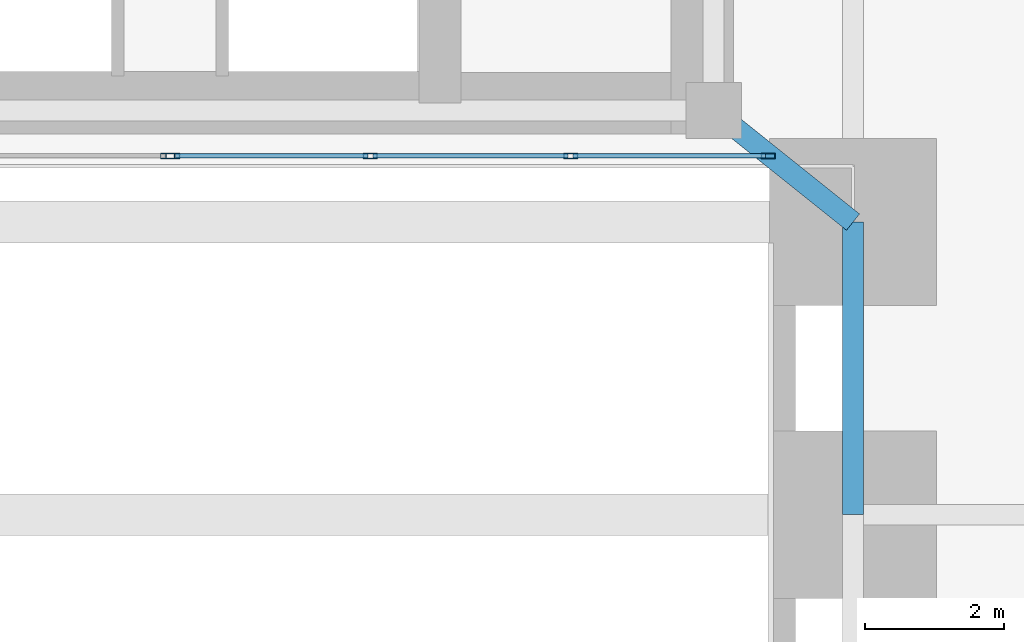
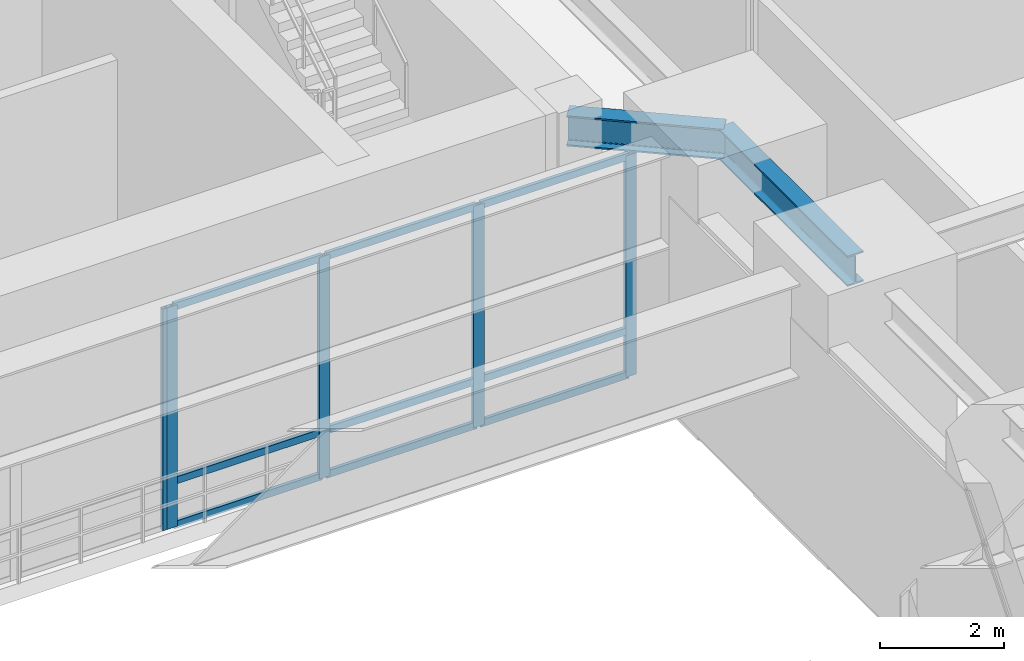
# One storey, part 6 of 18: 14 members, 2 beams, 2 elements without a shape of their own.
"""IFC4 building model written with IfcOpenShell, lengths in metres."""

import ifcopenshell
import ifcopenshell.guid

model = None  # the IFC model being written
_history = None  # IfcOwnerHistory: only IFC2X3 demands one
_inside = {}  # id of a spatial element -> (the spatial element, [elements in it])
_under = {}  # id of a project, library or spatial element -> (it, [spatial elements below it])
_declared = {}  # id of a project -> (the project, [libraries it declares])
_typed = {}  # id of a type object -> (the type object, [elements of that type])
_made_of = {}  # id of a material, layer set ... -> (it, [elements and type objects made of it])


def new_model(schema):
    """Start an empty IFC model of exactly this schema.

    Asked for "IFC4X3", IfcOpenShell would pick the latest addendum, in which some entities
    have other attributes; the version numbers below select the first issue.
    IFC2X3 requires an IfcOwnerHistory on every rooted entity: one is made here for all.
    """
    global model, _history
    if schema == "IFC4X3":
        model = ifcopenshell.file(schema_version=(4, 3, 0, 0))
    else:
        model = ifcopenshell.file(schema=schema)
    _inside.clear()
    _under.clear()
    _declared.clear()
    _typed.clear()
    _made_of.clear()
    _history = None
    if model.schema == "IFC2X3":
        org = make("IfcOrganization", Name="unknown")
        user = make(
            "IfcPersonAndOrganization",
            ThePerson=make("IfcPerson", FamilyName="unknown"),
            TheOrganization=org,
        )
        app = make(
            "IfcApplication",
            ApplicationDeveloper=org,
            Version="unknown",
            ApplicationFullName="unknown",
            ApplicationIdentifier="unknown",
        )
        _history = make(
            "IfcOwnerHistory",
            OwningUser=user,
            OwningApplication=app,
            ChangeAction="ADDED",
            CreationDate=0,
        )
    return model


def make(cls, **values):
    """One entity of the class cls with the attributes given. An attribute that is None is left unset."""
    return model.create_entity(
        cls, **{name: value for name, value in values.items() if value is not None}
    )


def rooted(cls, **values):
    """An entity with a GlobalId (a new one), such as an element, a storey or a relation."""
    return make(cls, GlobalId=ifcopenshell.guid.new(), OwnerHistory=_history, **values)


def si_unit(unit_type, name, prefix=None):
    """IfcSIUnit, for example si_unit("LENGTHUNIT", "METRE", prefix="MILLI")."""
    return make("IfcSIUnit", UnitType=unit_type, Prefix=prefix, Name=name)


def assignment(units):
    """IfcUnitAssignment: the units of a project."""
    return None if units is None else make("IfcUnitAssignment", Units=units)


def point(xyz):
    """IfcCartesianPoint."""
    return None if xyz is None else make("IfcCartesianPoint", Coordinates=xyz)


def direction(xyz):
    """IfcDirection."""
    return None if xyz is None else make("IfcDirection", DirectionRatios=xyz)


def frame(location, z_axis=None, x_axis=None):
    """IfcAxis2Placement3D, a coordinate frame: its origin and axes. An axis left out is left unset."""
    return make(
        "IfcAxis2Placement3D",
        Location=point(location),
        Axis=direction(z_axis),
        RefDirection=direction(x_axis),
    )


def frame_2d(location, x_axis=None):
    """IfcAxis2Placement2D, a coordinate frame in the plane: its origin and x axis."""
    return make(
        "IfcAxis2Placement2D", Location=point(location), RefDirection=direction(x_axis)
    )


def origin():
    """The frame at (0, 0, 0) with its axes left unset."""
    return frame((0.0, 0.0, 0.0))


def origin_2d():
    """The frame at (0, 0) in the plane with its x axis left unset."""
    return frame_2d((0.0, 0.0))


def place(relative_to, where):
    """IfcLocalPlacement: puts the frame where relative to a parent placement (None: the world)."""
    return make(
        "IfcLocalPlacement", PlacementRelTo=relative_to, RelativePlacement=where
    )


def context(
    kind, dimensions, precision=None, world=None, true_north=None, identifier=None
):
    """IfcGeometricRepresentationContext, for example the 3D "Model" context."""
    return make(
        "IfcGeometricRepresentationContext",
        ContextIdentifier=identifier,
        ContextType=kind,
        CoordinateSpaceDimension=dimensions,
        Precision=precision,
        WorldCoordinateSystem=world,
        TrueNorth=true_north,
    )


def subcontext(parent, identifier, kind, view, scale=None):
    """IfcGeometricRepresentationSubContext, for example "Body" below "Model"."""
    return make(
        "IfcGeometricRepresentationSubContext",
        ContextIdentifier=identifier,
        ContextType=kind,
        ParentContext=parent,
        TargetScale=scale,
        TargetView=view,
    )


def project(units=None, contexts=None):
    """IfcProject with its units and contexts."""
    return rooted(
        "IfcProject",
        Name="project",
        RepresentationContexts=contexts,
        UnitsInContext=assignment(units),
    )


def spatial(cls, under=None, at=None, **own):
    """A site, building, storey or space (cls), placed at a placement, below another one or the project."""
    s = rooted(cls, ObjectPlacement=at, **own)
    if under is not None:
        _under.setdefault(under.id(), (under, []))[1].append(s)
    return s


def profile(cls, at=None, kind="AREA", **sizes):
    """A parametric profile (cls). Its sizes go by their IFC names, for example OverallWidth=200.0."""
    return make(cls, ProfileType=kind, Position=at, **sizes)


def hollow_rectangle(**sizes):
    """IfcRectangleHollowProfileDef."""
    return profile("IfcRectangleHollowProfileDef", **sizes)


def i_section(**sizes):
    """IfcIShapeProfileDef."""
    return profile("IfcIShapeProfileDef", **sizes)


def extrude(swept, where, along, depth):
    """IfcExtrudedAreaSolid: the profile swept, set in the frame where, extruded along a direction by depth."""
    return make(
        "IfcExtrudedAreaSolid",
        SweptArea=swept,
        Position=where,
        ExtrudedDirection=direction(along),
        Depth=depth,
    )


def shape(context_of_items, identifier, shape_type, items):
    """IfcShapeRepresentation: the items that make up one representation, for example the "Body"."""
    return make(
        "IfcShapeRepresentation",
        ContextOfItems=context_of_items,
        RepresentationIdentifier=identifier,
        RepresentationType=shape_type,
        Items=items,
    )


def material(Name=None, Category=None):
    """IfcMaterial."""
    return make("IfcMaterial", Name=Name, Category=Category)


def layer(
    of_material, thickness, ventilated=None, Name=None, Category=None, Priority=None
):
    """IfcMaterialLayer: one layer of a wall or slab, of a material (None: an air gap)."""
    return make(
        "IfcMaterialLayer",
        Material=of_material,
        LayerThickness=thickness,
        IsVentilated=ventilated,
        Name=Name,
        Category=Category,
        Priority=Priority,
    )


def layer_set(layers, Name=None):
    """IfcMaterialLayerSet."""
    return make("IfcMaterialLayerSet", MaterialLayers=layers, LayerSetName=Name)


def material_profile(
    of_material, cross_section, Name=None, Category=None, Priority=None
):
    """IfcMaterialProfile: a cross section and its material."""
    return make(
        "IfcMaterialProfile",
        Name=Name,
        Material=of_material,
        Profile=cross_section,
        Priority=Priority,
        Category=Category,
    )


def profile_set(profiles, Name=None, composite=None):
    """IfcMaterialProfileSet."""
    return make(
        "IfcMaterialProfileSet",
        Name=Name,
        MaterialProfiles=profiles,
        CompositeProfile=composite,
    )


def made_of(thing, what):
    """Note that an element or type object is made of a material, layer set ...; save() writes the relation."""
    if what is not None:
        _made_of.setdefault(what.id(), (what, []))[1].append(thing)
    return thing


def type_object(cls, material=None, **own):
    """A type object (cls), such as IfcWallType, which elements share."""
    return made_of(rooted(cls, **own), material)


def element(
    cls,
    number,
    at=None,
    inside=None,
    cuts=None,
    type_object=None,
    material=None,
    context=None,
    identifier="Body",
    shape_type=None,
    held_by="IfcProductDefinitionShape",
    body=None,
    shapes=None,
    **own,
):
    """One element of the class cls, such as IfcWall. Its Tag is "e" and its number.

    at: its placement. inside: the storey or other place that contains it. cuts: it is an
    opening in that element (IfcRelVoidsElement). A single representation is given by context,
    identifier, shape_type and body (its items); several are given by shapes. held_by: the class
    of the entity that holds the representations. save() writes the other relations.
    """
    e = rooted(cls, Tag="e%d" % number, ObjectPlacement=at, **own)
    if body is not None:
        shapes = [shape(context, identifier, shape_type, body)]
    if shapes is not None:
        e.Representation = make(held_by, Representations=shapes)
    if inside is not None:
        _inside.setdefault(inside.id(), (inside, []))[1].append(e)
    if cuts is not None:
        rooted(
            "IfcRelVoidsElement", RelatingBuildingElement=cuts, RelatedOpeningElement=e
        )
    if type_object is not None:
        _typed.setdefault(type_object.id(), (type_object, []))[1].append(e)
    return made_of(e, material)


def aggregate(whole, parts):
    """IfcRelAggregates: a whole, such as a stair, and the parts it consists of."""
    return rooted("IfcRelAggregates", RelatingObject=whole, RelatedObjects=parts)


def save(model, path):
    """Write the relations noted so far, then the file.

    IfcRelAggregates (storeys below a building ...), IfcRelContainedInSpatialStructure (elements
    in a storey), IfcRelDefinesByType, IfcRelAssociatesMaterial and IfcRelDeclares: one each for
    every whole, place, type object, material and project.
    """
    for whole, parts in _under.values():
        aggregate(whole, parts)
    for where, things in _inside.values():
        rooted(
            "IfcRelContainedInSpatialStructure",
            RelatedElements=things,
            RelatingStructure=where,
        )
    for kind, things in _typed.values():
        rooted("IfcRelDefinesByType", RelatedObjects=things, RelatingType=kind)
    for what, things in _made_of.values():
        rooted("IfcRelAssociatesMaterial", RelatedObjects=things, RelatingMaterial=what)
    for by, libraries in _declared.values():
        rooted("IfcRelDeclares", RelatingContext=by, RelatedDefinitions=libraries)
    model.write(path)


model = new_model("IFC4")

# Units and contexts
model_context = context("Model", 3, precision=1e-05, world=origin(), true_north=direction((0.0, 1.0)))
body_context = subcontext(model_context, "Body", "Model", "MODEL_VIEW")
ifc_project = project(units=[si_unit("LENGTHUNIT", "METRE"), si_unit("AREAUNIT", "SQUARE_METRE"), si_unit("VOLUMEUNIT", "CUBIC_METRE"), si_unit("PLANEANGLEUNIT", "RADIAN"), si_unit("MASSUNIT", "GRAM", prefix="KILO"), si_unit("THERMODYNAMICTEMPERATUREUNIT", "KELVIN"), si_unit("POWERUNIT", "WATT")], contexts=[model_context])

# Site, building, storey
site_placement = place(None, origin())
site = spatial("IfcSite", under=ifc_project, at=site_placement, CompositionType="ELEMENT")
building_placement = place(site_placement, origin())
building = spatial("IfcBuilding", under=site, at=building_placement, Name="Ocrelia Relay Tower", CompositionType="ELEMENT")
storey_placement = place(building_placement, frame((0.0, 0.0, 10.199951171875)))
storey = spatial("IfcBuildingStorey", under=building, at=storey_placement, Name="L02", CompositionType="ELEMENT", Elevation=10.199951171875)

# Beams
ifc_material_1 = material(Name="Steel S355", Category="steel")
ifc_material_profile_1 = material_profile(ifc_material_1, i_section(OverallWidth=0.300048828125, OverallDepth=0.60009765625, WebThickness=0.015380859375, FlangeThickness=0.030029296875, FilletRadius=0.027099609375, at=origin_2d()), Name="HEB 600")
ifc_profile_set_1 = profile_set([ifc_material_profile_1], Name="Steel S355")
beam_type = type_object("IfcBeamType", Name="BM-HEB600", PredefinedType="BEAM", material=ifc_profile_set_1)
beam_1_placement = place(storey_placement, frame((43.800048828125, 14.199951171875, 4.780029296875), z_axis=(0.0, 1.0, 0.0), x_axis=(-1.0, 0.0, 0.0)))
element("IfcBeam", 1, at=beam_1_placement, inside=storey, type_object=beam_type, Name="L02 Pier Line Tie Girder AE-3", PredefinedType="BEAM", context=body_context, shape_type="SweptSolid", body=[
    extrude(i_section(OverallWidth=0.300048828125, OverallDepth=0.60009765625, WebThickness=0.015380859375, FlangeThickness=0.030029296875, FilletRadius=0.027099609375, at=origin_2d()), origin(), (0.0, 0.0, 1.0), 4.199951171875),
])
beam_2_placement = place(storey_placement, frame((43.800048828125, 18.39990234375, 4.780029296875), z_axis=(-0.78085021034, 0.624718295724, 0.0), x_axis=(-0.624718295724, -0.78085021034, 0.0)))
element("IfcBeam", 2, at=beam_2_placement, inside=storey, type_object=beam_type, Name="L02 Core Pilaster Link Girder AES", PredefinedType="BEAM", context=body_context, shape_type="SweptSolid", body=[
    extrude(i_section(OverallWidth=0.300048828125, OverallDepth=0.60009765625, WebThickness=0.015380859375, FlangeThickness=0.030029296875, FilletRadius=0.027099609375, at=origin_2d()), origin(), (0.0, 0.0, 1.0), 2.561279296875),
])

# Curtain wall, member
ifc_material_2 = material(Name="Aluminium and solar-control low-E glass", Category="aluminium")
ifc_layer = layer(ifc_material_2, 0.179931640625, Name="Aluminium and solar-control low-E glass")
ifc_layer_set = layer_set([ifc_layer], Name="Aluminium and solar-control low-E glass")
curtain_wall_type = type_object("IfcCurtainWallType", Name="CW-SYS-POD-ARCH", PredefinedType="NOTDEFINED", material=ifc_layer_set)
curtain_wall_1_placement = place(storey_placement, origin())
curtain_wall_1 = element("IfcCurtainWall", 3, at=curtain_wall_1_placement, inside=storey, type_object=curtain_wall_type, Name="L02 South Portal Atrium Glazed Screen West", PredefinedType="NOTDEFINED")
ifc_material_3 = material(Name="Anodised bronze aluminium", Category="aluminium")
ifc_material_profile_2 = material_profile(ifc_material_3, hollow_rectangle(XDim=0.074951171875, YDim=0.199951171875, WallThickness=0.006103515625, at=origin_2d()), Name="CW-MUL-200x75")
ifc_profile_set_2 = profile_set([ifc_material_profile_2], Name="Anodised bronze aluminium")
member_type_1 = type_object("IfcMemberType", Name="CW-SYS-POD-ARCH-MUL", PredefinedType="MULLION", material=ifc_profile_set_2)
member_1_placement = place(storey_placement, frame((33.96240234375, 19.35009765625, 0.0), z_axis=(0.0, 0.0, 1.0), x_axis=(0.0, 1.0, 0.0)))
member_1 = element("IfcMember", 4, at=member_1_placement, type_object=member_type_1, Name="CW-PA mullion 4", PredefinedType="MULLION", context=body_context, shape_type="SweptSolid", body=[
    extrude(hollow_rectangle(XDim=0.074951171875, YDim=0.199951171875, WallThickness=0.006103515625, at=origin_2d()), origin(), (0.0, 0.0, 1.0), 4.360107421875),
])
aggregate(curtain_wall_1, [member_1])

# Curtain wall, members
curtain_wall_2_placement = place(storey_placement, origin())
curtain_wall_2 = element("IfcCurtainWall", 5, at=curtain_wall_2_placement, inside=storey, type_object=curtain_wall_type, Name="L02 South Portal Atrium Glazed Screen East", PredefinedType="NOTDEFINED")
member_2_placement = place(storey_placement, frame((34.03759765625, 19.35009765625, 0.0), z_axis=(0.0, 0.0, 1.0), x_axis=(0.0, 1.0, 0.0)))
member_2 = element("IfcMember", 6, at=member_2_placement, type_object=member_type_1, Name="CW-PA mullion 1", PredefinedType="MULLION", context=body_context, shape_type="SweptSolid", body=[
    extrude(hollow_rectangle(XDim=0.074951171875, YDim=0.199951171875, WallThickness=0.006103515625, at=origin_2d()), origin(), (0.0, 0.0, 1.0), 4.360107421875),
])
member_3_placement = place(storey_placement, frame((36.873291015625, 19.35009765625, 0.0), z_axis=(0.0, 0.0, 1.0), x_axis=(0.0, 1.0, 0.0)))
member_3 = element("IfcMember", 7, at=member_3_placement, type_object=member_type_1, Name="CW-PA mullion 2", PredefinedType="MULLION", context=body_context, shape_type="SweptSolid", body=[
    extrude(hollow_rectangle(XDim=0.074951171875, YDim=0.199951171875, WallThickness=0.006103515625, at=origin_2d()), origin(), (0.0, 0.0, 1.0), 4.360107421875),
])
member_4_placement = place(storey_placement, frame((39.74658203125, 19.35009765625, 0.0), z_axis=(0.0, 0.0, 1.0), x_axis=(0.0, 1.0, 0.0)))
member_4 = element("IfcMember", 8, at=member_4_placement, type_object=member_type_1, Name="CW-PA mullion 3", PredefinedType="MULLION", context=body_context, shape_type="SweptSolid", body=[
    extrude(hollow_rectangle(XDim=0.074951171875, YDim=0.199951171875, WallThickness=0.006103515625, at=origin_2d()), origin(), (0.0, 0.0, 1.0), 4.360107421875),
])
member_5_placement = place(storey_placement, frame((42.58251953125, 19.35009765625, 0.0), z_axis=(0.0, 0.0, 1.0), x_axis=(0.0, 1.0, 0.0)))
member_5 = element("IfcMember", 9, at=member_5_placement, type_object=member_type_1, Name="CW-PA mullion 4", PredefinedType="MULLION", context=body_context, shape_type="SweptSolid", body=[
    extrude(hollow_rectangle(XDim=0.074951171875, YDim=0.199951171875, WallThickness=0.006103515625, at=origin_2d()), origin(), (0.0, 0.0, 1.0), 4.360107421875),
])
ifc_material_profile_3 = material_profile(ifc_material_3, hollow_rectangle(XDim=0.06494140625, YDim=0.139892578125, WallThickness=0.0048828125, at=origin_2d()), Name="CW-TRN-140x65")
ifc_profile_set_3 = profile_set([ifc_material_profile_3], Name="Anodised bronze aluminium")
member_type_2 = type_object("IfcMemberType", Name="CW-SYS-POD-ARCH-TRN", PredefinedType="USERDEFINED", material=ifc_profile_set_3)
member_6_placement = place(storey_placement, frame((34.074951171875, 19.35009765625, 0.032470703125), z_axis=(1.0, 0.0, 0.0), x_axis=(0.0, 1.0, 0.0)))
member_6 = element("IfcMember", 10, at=member_6_placement, type_object=member_type_2, Name="CW-PA transom 1.1", ObjectType="TRANSOM", PredefinedType="USERDEFINED", context=body_context, shape_type="SweptSolid", body=[
    extrude(hollow_rectangle(XDim=0.06494140625, YDim=0.139892578125, WallThickness=0.0048828125, at=origin_2d()), origin(), (0.0, 0.0, 1.0), 2.760986328125),
])
member_7_placement = place(storey_placement, frame((34.074951171875, 19.35009765625, 0.900146484375), z_axis=(1.0, 0.0, 0.0), x_axis=(0.0, 1.0, 0.0)))
member_7 = element("IfcMember", 11, at=member_7_placement, type_object=member_type_2, Name="CW-PA transom 1.2", ObjectType="TRANSOM", PredefinedType="USERDEFINED", context=body_context, shape_type="SweptSolid", body=[
    extrude(hollow_rectangle(XDim=0.06494140625, YDim=0.139892578125, WallThickness=0.0048828125, at=origin_2d()), origin(), (0.0, 0.0, 1.0), 2.760986328125),
])
member_8_placement = place(storey_placement, frame((34.074951171875, 19.35009765625, 4.32763671875), z_axis=(1.0, 0.0, 0.0), x_axis=(0.0, 1.0, 0.0)))
member_8 = element("IfcMember", 12, at=member_8_placement, type_object=member_type_2, Name="CW-PA transom 1.3", ObjectType="TRANSOM", PredefinedType="USERDEFINED", context=body_context, shape_type="SweptSolid", body=[
    extrude(hollow_rectangle(XDim=0.06494140625, YDim=0.139892578125, WallThickness=0.0048828125, at=origin_2d()), origin(), (0.0, 0.0, 1.0), 2.760986328125),
])
member_9_placement = place(storey_placement, frame((36.910888671875, 19.35009765625, 0.032470703125), z_axis=(1.0, 0.0, 0.0), x_axis=(0.0, 1.0, 0.0)))
member_9 = element("IfcMember", 13, at=member_9_placement, type_object=member_type_2, Name="CW-PA transom 2.1", ObjectType="TRANSOM", PredefinedType="USERDEFINED", context=body_context, shape_type="SweptSolid", body=[
    extrude(hollow_rectangle(XDim=0.06494140625, YDim=0.139892578125, WallThickness=0.0048828125, at=origin_2d()), origin(), (0.0, 0.0, 1.0), 2.79833984375),
])
member_10_placement = place(storey_placement, frame((36.910888671875, 19.35009765625, 0.900146484375), z_axis=(1.0, 0.0, 0.0), x_axis=(0.0, 1.0, 0.0)))
member_10 = element("IfcMember", 14, at=member_10_placement, type_object=member_type_2, Name="CW-PA transom 2.2", ObjectType="TRANSOM", PredefinedType="USERDEFINED", context=body_context, shape_type="SweptSolid", body=[
    extrude(hollow_rectangle(XDim=0.06494140625, YDim=0.139892578125, WallThickness=0.0048828125, at=origin_2d()), origin(), (0.0, 0.0, 1.0), 2.79833984375),
])
member_11_placement = place(storey_placement, frame((36.910888671875, 19.35009765625, 4.32763671875), z_axis=(1.0, 0.0, 0.0), x_axis=(0.0, 1.0, 0.0)))
member_11 = element("IfcMember", 15, at=member_11_placement, type_object=member_type_2, Name="CW-PA transom 2.3", ObjectType="TRANSOM", PredefinedType="USERDEFINED", context=body_context, shape_type="SweptSolid", body=[
    extrude(hollow_rectangle(XDim=0.06494140625, YDim=0.139892578125, WallThickness=0.0048828125, at=origin_2d()), origin(), (0.0, 0.0, 1.0), 2.79833984375),
])
member_12_placement = place(storey_placement, frame((39.7841796875, 19.35009765625, 0.032470703125), z_axis=(1.0, 0.0, 0.0), x_axis=(0.0, 1.0, 0.0)))
member_12 = element("IfcMember", 16, at=member_12_placement, type_object=member_type_2, Name="CW-PA transom 3.1", ObjectType="TRANSOM", PredefinedType="USERDEFINED", context=body_context, shape_type="SweptSolid", body=[
    extrude(hollow_rectangle(XDim=0.06494140625, YDim=0.139892578125, WallThickness=0.0048828125, at=origin_2d()), origin(), (0.0, 0.0, 1.0), 2.7607421875),
])
member_13_placement = place(storey_placement, frame((39.7841796875, 19.35009765625, 0.900146484375), z_axis=(1.0, 0.0, 0.0), x_axis=(0.0, 1.0, 0.0)))
member_13 = element("IfcMember", 17, at=member_13_placement, type_object=member_type_2, Name="CW-PA transom 3.2", ObjectType="TRANSOM", PredefinedType="USERDEFINED", context=body_context, shape_type="SweptSolid", body=[
    extrude(hollow_rectangle(XDim=0.06494140625, YDim=0.139892578125, WallThickness=0.0048828125, at=origin_2d()), origin(), (0.0, 0.0, 1.0), 2.7607421875),
])
member_14_placement = place(storey_placement, frame((39.7841796875, 19.35009765625, 4.32763671875), z_axis=(1.0, 0.0, 0.0), x_axis=(0.0, 1.0, 0.0)))
member_14 = element("IfcMember", 18, at=member_14_placement, type_object=member_type_2, Name="CW-PA transom 3.3", ObjectType="TRANSOM", PredefinedType="USERDEFINED", context=body_context, shape_type="SweptSolid", body=[
    extrude(hollow_rectangle(XDim=0.06494140625, YDim=0.139892578125, WallThickness=0.0048828125, at=origin_2d()), origin(), (0.0, 0.0, 1.0), 2.7607421875),
])
aggregate(curtain_wall_2, [member_2, member_3, member_4, member_5, member_6, member_7, member_8, member_9, member_10, member_11, member_12, member_13, member_14])

save(model, "model.ifc")
